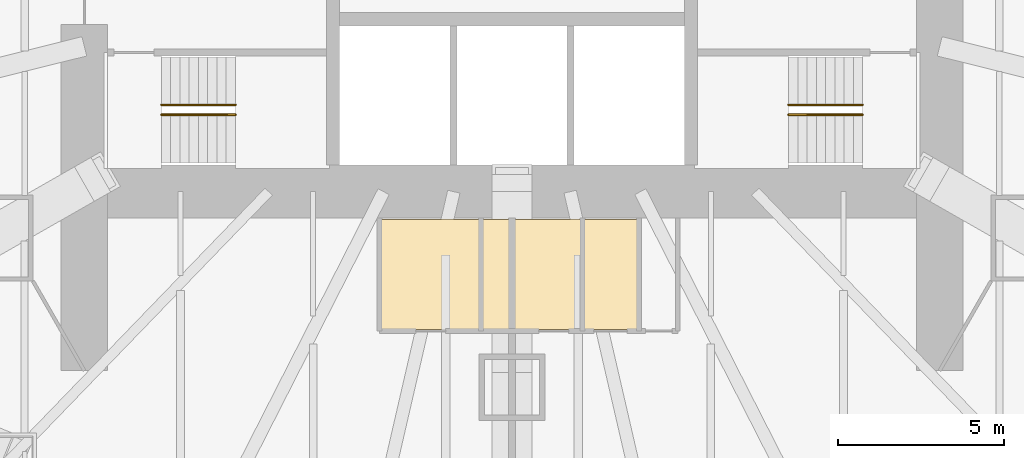
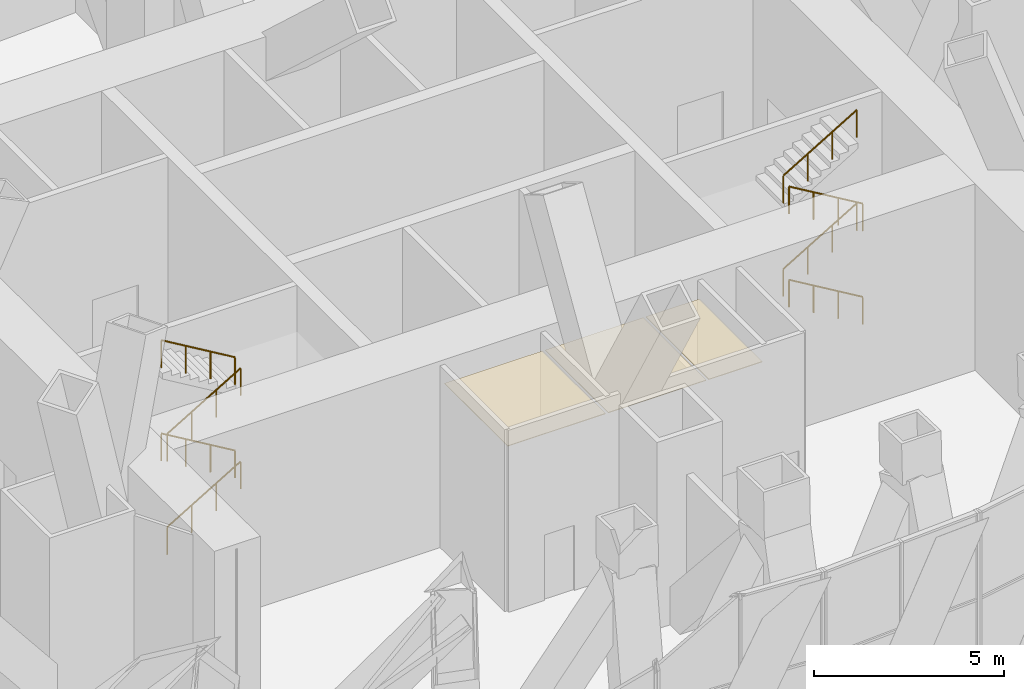
# One storey, part 19 of 19: 8 railings, 3 coverings.
"""IFC4 building model written with IfcOpenShell, lengths in metres."""

from ifc_helpers import new_model, si_unit, direction, frame, origin, origin_2d, place, context, subcontext, project, spatial, polyline, circle, outline, extrude, material, layer, layer_set, type_object, element, save


model = new_model("IFC4")

# Units and contexts
model_context = context("Model", 3, precision=1e-05, world=origin(), true_north=direction((0.0, 1.0)))
body_context = subcontext(model_context, "Body", "Model", "MODEL_VIEW")
ifc_project = project(units=[si_unit("LENGTHUNIT", "METRE"), si_unit("AREAUNIT", "SQUARE_METRE"), si_unit("VOLUMEUNIT", "CUBIC_METRE"), si_unit("PLANEANGLEUNIT", "RADIAN"), si_unit("MASSUNIT", "GRAM", prefix="KILO")], contexts=[model_context])

# Site, building, storey
site_placement = place(None, origin())
site = spatial("IfcSite", under=ifc_project, at=site_placement, CompositionType="ELEMENT")
building_placement = place(site_placement, origin())
building = spatial("IfcBuilding", under=site, at=building_placement, Name="Lantaw Convention Tower", CompositionType="ELEMENT")
storey_placement = place(building_placement, frame((0.0, 0.0, 193.0)))
storey = spatial("IfcBuildingStorey", under=building, at=storey_placement, Name="L45", CompositionType="ELEMENT", Elevation=193.0)

# Railings
ifc_material_1 = material(Name="Stainless steel", Category="steel")
railing_type = type_object("IfcRailingType", Name="Stair handrail", PredefinedType="HANDRAIL", material=ifc_material_1)
railing_1_placement = place(storey_placement, frame((-10.580078125, -5.280029296875, 0.166748046875)))
element("IfcRailing", 1, at=railing_1_placement, inside=storey, type_object=railing_type, Name="Stair handrail S1", PredefinedType="HANDRAIL", context=body_context, shape_type="SweptSolid", body=[
    extrude(circle(Radius=0.02392578125, at=origin_2d()), frame((0.0, 0.0, 0.8759765625), z_axis=(0.859305625298, 0.0, 0.511462454469), x_axis=(0.0, 1.0, 0.0)), (0.0, 0.0, 1.0), 2.606689453125),
    extrude(circle(Radius=0.02099609375, at=origin_2d()), origin(), (0.0, 0.0, 1.0), 0.851806640625),
    extrude(circle(Radius=0.02099609375, at=origin_2d()), frame((0.74658203125, 0.0, 0.4443359375)), (0.0, 0.0, 1.0), 0.851806640625),
    extrude(circle(Radius=0.02099609375, at=origin_2d()), frame((1.493408203125, 0.0, 0.888916015625)), (0.0, 0.0, 1.0), 0.851806640625),
    extrude(circle(Radius=0.02099609375, at=origin_2d()), frame((2.239990234375, 0.0, 1.333251953125)), (0.0, 0.0, 1.0), 0.851806640625),
])
railing_2_placement = place(storey_placement, frame((-8.340087890625, -4.97998046875, 1.666748046875)))
element("IfcRailing", 2, at=railing_2_placement, inside=storey, type_object=railing_type, Name="Stair handrail S1", PredefinedType="HANDRAIL", context=body_context, shape_type="SweptSolid", body=[
    extrude(circle(Radius=0.02392578125, at=origin_2d()), frame((0.0, 0.0, 0.8759765625), z_axis=(-0.859305625298, 0.0, 0.511462454469), x_axis=(0.0, -1.0, 0.0)), (0.0, 0.0, 1.0), 2.606689453125),
    extrude(circle(Radius=0.02099609375, at=origin_2d()), origin(), (0.0, 0.0, 1.0), 0.851806640625),
    extrude(circle(Radius=0.02099609375, at=origin_2d()), frame((-0.74658203125, 0.0, 0.4443359375)), (0.0, 0.0, 1.0), 0.851806640625),
    extrude(circle(Radius=0.02099609375, at=origin_2d()), frame((-1.493408203125, 0.0, 0.888916015625)), (0.0, 0.0, 1.0), 0.851806640625),
    extrude(circle(Radius=0.02099609375, at=origin_2d()), frame((-2.239990234375, 0.0, 1.333251953125)), (0.0, 0.0, 1.0), 0.851806640625),
])
railing_3_placement = place(storey_placement, frame((-10.580078125, -5.280029296875, 3.166748046875)))
element("IfcRailing", 3, at=railing_3_placement, inside=storey, type_object=railing_type, Name="Stair handrail S1", PredefinedType="HANDRAIL", context=body_context, shape_type="SweptSolid", body=[
    extrude(circle(Radius=0.02392578125, at=origin_2d()), frame((0.0, 0.0, 0.8759765625), z_axis=(0.859305625298, 0.0, 0.511462454469), x_axis=(0.0, 1.0, 0.0)), (0.0, 0.0, 1.0), 2.606689453125),
    extrude(circle(Radius=0.02099609375, at=origin_2d()), origin(), (0.0, 0.0, 1.0), 0.851806640625),
    extrude(circle(Radius=0.02099609375, at=origin_2d()), frame((0.74658203125, 0.0, 0.4443359375)), (0.0, 0.0, 1.0), 0.851806640625),
    extrude(circle(Radius=0.02099609375, at=origin_2d()), frame((1.493408203125, 0.0, 0.888916015625)), (0.0, 0.0, 1.0), 0.851806640625),
    extrude(circle(Radius=0.02099609375, at=origin_2d()), frame((2.239990234375, 0.0, 1.333251953125)), (0.0, 0.0, 1.0), 0.851806640625),
])
for number, where, name in (
    (4, (-8.340087890625, -4.97998046875, 4.666748046875), "Stair handrail S1"),
    (5, (10.580078125, -5.280029296875, 0.166748046875), "Stair handrail S2"),
):
    element("IfcRailing", number, at=place(storey_placement, frame(where)), inside=storey, type_object=railing_type, Name=name, PredefinedType="HANDRAIL", context=body_context, shape_type="SweptSolid", body=[
        extrude(circle(Radius=0.02392578125, at=origin_2d()), frame((0.0, 0.0, 0.8759765625), z_axis=(-0.859305625298, 0.0, 0.511462454469), x_axis=(0.0, -1.0, 0.0)), (0.0, 0.0, 1.0), 2.606689453125),
        extrude(circle(Radius=0.02099609375, at=origin_2d()), origin(), (0.0, 0.0, 1.0), 0.851806640625),
        extrude(circle(Radius=0.02099609375, at=origin_2d()), frame((-0.74658203125, 0.0, 0.4443359375)), (0.0, 0.0, 1.0), 0.851806640625),
        extrude(circle(Radius=0.02099609375, at=origin_2d()), frame((-1.493408203125, 0.0, 0.888916015625)), (0.0, 0.0, 1.0), 0.851806640625),
        extrude(circle(Radius=0.02099609375, at=origin_2d()), frame((-2.239990234375, 0.0, 1.333251953125)), (0.0, 0.0, 1.0), 0.851806640625),
    ])
railing_4_placement = place(storey_placement, frame((8.340087890625, -4.97998046875, 1.666748046875)))
element("IfcRailing", 6, at=railing_4_placement, inside=storey, type_object=railing_type, Name="Stair handrail S2", PredefinedType="HANDRAIL", context=body_context, shape_type="SweptSolid", body=[
    extrude(circle(Radius=0.02392578125, at=origin_2d()), frame((0.0, 0.0, 0.8759765625), z_axis=(0.859305625298, 0.0, 0.511462454469), x_axis=(0.0, 1.0, 0.0)), (0.0, 0.0, 1.0), 2.606689453125),
    extrude(circle(Radius=0.02099609375, at=origin_2d()), origin(), (0.0, 0.0, 1.0), 0.851806640625),
    extrude(circle(Radius=0.02099609375, at=origin_2d()), frame((0.74658203125, 0.0, 0.4443359375)), (0.0, 0.0, 1.0), 0.851806640625),
    extrude(circle(Radius=0.02099609375, at=origin_2d()), frame((1.493408203125, 0.0, 0.888916015625)), (0.0, 0.0, 1.0), 0.851806640625),
    extrude(circle(Radius=0.02099609375, at=origin_2d()), frame((2.239990234375, 0.0, 1.333251953125)), (0.0, 0.0, 1.0), 0.851806640625),
])
railing_5_placement = place(storey_placement, frame((10.580078125, -5.280029296875, 3.166748046875)))
element("IfcRailing", 7, at=railing_5_placement, inside=storey, type_object=railing_type, Name="Stair handrail S2", PredefinedType="HANDRAIL", context=body_context, shape_type="SweptSolid", body=[
    extrude(circle(Radius=0.02392578125, at=origin_2d()), frame((0.0, 0.0, 0.8759765625), z_axis=(-0.859305625298, 0.0, 0.511462454469), x_axis=(0.0, -1.0, 0.0)), (0.0, 0.0, 1.0), 2.606689453125),
    extrude(circle(Radius=0.02099609375, at=origin_2d()), origin(), (0.0, 0.0, 1.0), 0.851806640625),
    extrude(circle(Radius=0.02099609375, at=origin_2d()), frame((-0.74658203125, 0.0, 0.4443359375)), (0.0, 0.0, 1.0), 0.851806640625),
    extrude(circle(Radius=0.02099609375, at=origin_2d()), frame((-1.493408203125, 0.0, 0.888916015625)), (0.0, 0.0, 1.0), 0.851806640625),
    extrude(circle(Radius=0.02099609375, at=origin_2d()), frame((-2.239990234375, 0.0, 1.333251953125)), (0.0, 0.0, 1.0), 0.851806640625),
])
railing_6_placement = place(storey_placement, frame((8.340087890625, -4.97998046875, 4.666748046875)))
element("IfcRailing", 8, at=railing_6_placement, inside=storey, type_object=railing_type, Name="Stair handrail S2", PredefinedType="HANDRAIL", context=body_context, shape_type="SweptSolid", body=[
    extrude(circle(Radius=0.02392578125, at=origin_2d()), frame((0.0, 0.0, 0.8759765625), z_axis=(0.859305625298, 0.0, 0.511462454469), x_axis=(0.0, 1.0, 0.0)), (0.0, 0.0, 1.0), 2.606689453125),
    extrude(circle(Radius=0.02099609375, at=origin_2d()), origin(), (0.0, 0.0, 1.0), 0.851806640625),
    extrude(circle(Radius=0.02099609375, at=origin_2d()), frame((0.74658203125, 0.0, 0.4443359375)), (0.0, 0.0, 1.0), 0.851806640625),
    extrude(circle(Radius=0.02099609375, at=origin_2d()), frame((1.493408203125, 0.0, 0.888916015625)), (0.0, 0.0, 1.0), 0.851806640625),
    extrude(circle(Radius=0.02099609375, at=origin_2d()), frame((2.239990234375, 0.0, 1.333251953125)), (0.0, 0.0, 1.0), 0.851806640625),
])

# Coverings
ifc_material_2 = material(Name="Gypsum board on steel suspension grid", Category="steel")
ifc_layer = layer(ifc_material_2, 0.02001953125)
ifc_layer_set = layer_set([ifc_layer], Name="Suspended ceiling")
covering_type = type_object("IfcCoveringType", Name="Suspended ceiling", PredefinedType="CEILING", material=ifc_layer_set)
covering_1_placement = place(storey_placement, frame((0.0, 0.0, 5.25)))
element("IfcCovering", 9, at=covering_1_placement, inside=storey, type_object=covering_type, Name="Male WC ceiling", PredefinedType="CEILING", context=body_context, shape_type="SweptSolid", body=[
    extrude(outline(polyline([(-3.9599609375, -11.760009765625), (-0.97998046875, -11.760009765625), (-0.97998046875, -8.43994140625), (-3.9599609375, -8.43994140625), (-3.9599609375, -11.760009765625)])), origin(), (0.0, 0.0, 1.0), 0.02001953125),
])
covering_2_placement = place(storey_placement, frame((0.0, 0.0, 5.25)))
element("IfcCovering", 10, at=covering_2_placement, inside=storey, type_object=covering_type, Name="Female WC ceiling", PredefinedType="CEILING", context=body_context, shape_type="SweptSolid", body=[
    extrude(outline(polyline([(-0.89990234375, -11.760009765625), (2.080078125, -11.760009765625), (2.080078125, -8.43994140625), (-0.89990234375, -8.43994140625), (-0.89990234375, -11.760009765625)])), origin(), (0.0, 0.0, 1.0), 0.02001953125),
])
covering_3_placement = place(storey_placement, frame((0.0, 0.0, 5.25)))
element("IfcCovering", 11, at=covering_3_placement, inside=storey, type_object=covering_type, Name="Accessible WC ceiling", PredefinedType="CEILING", context=body_context, shape_type="SweptSolid", body=[
    extrude(outline(polyline([(2.159912109375, -11.760009765625), (3.7900390625, -11.760009765625), (3.7900390625, -8.43994140625), (2.159912109375, -8.43994140625), (2.159912109375, -11.760009765625)])), origin(), (0.0, 0.0, 1.0), 0.02001953125),
])

save(model, "model.ifc")
